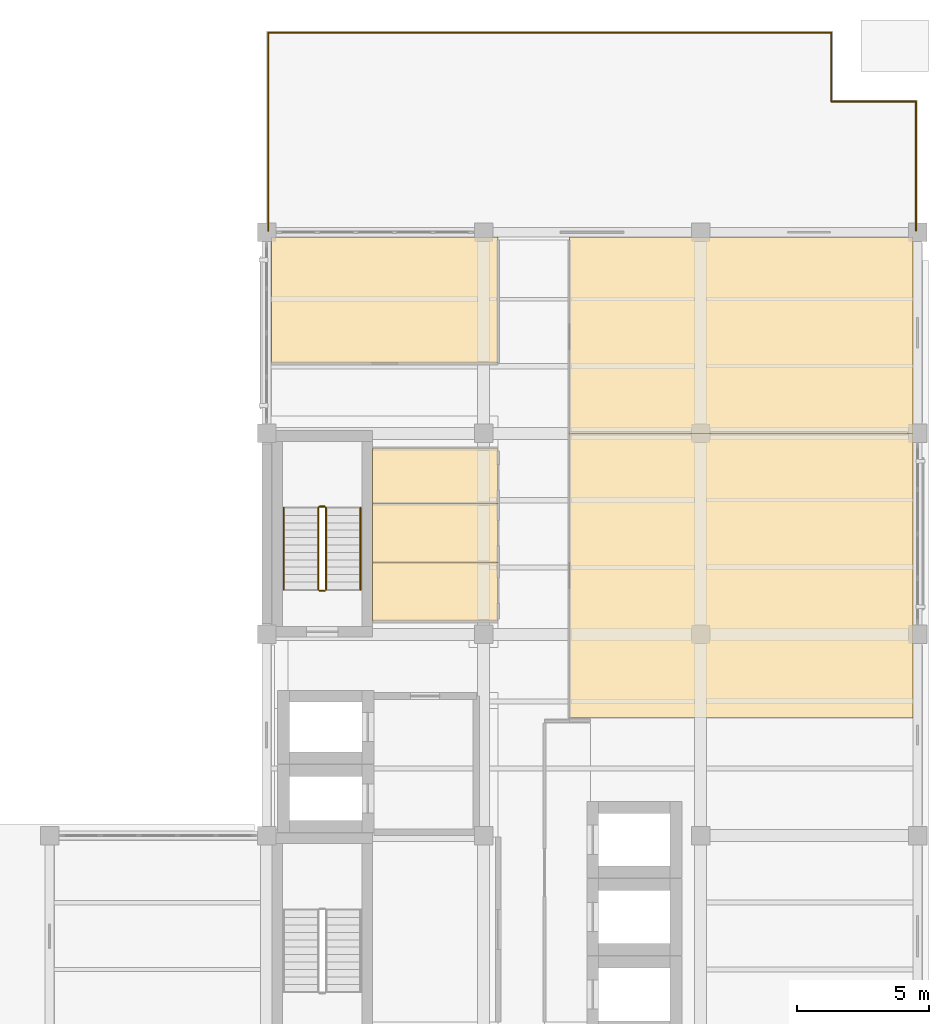
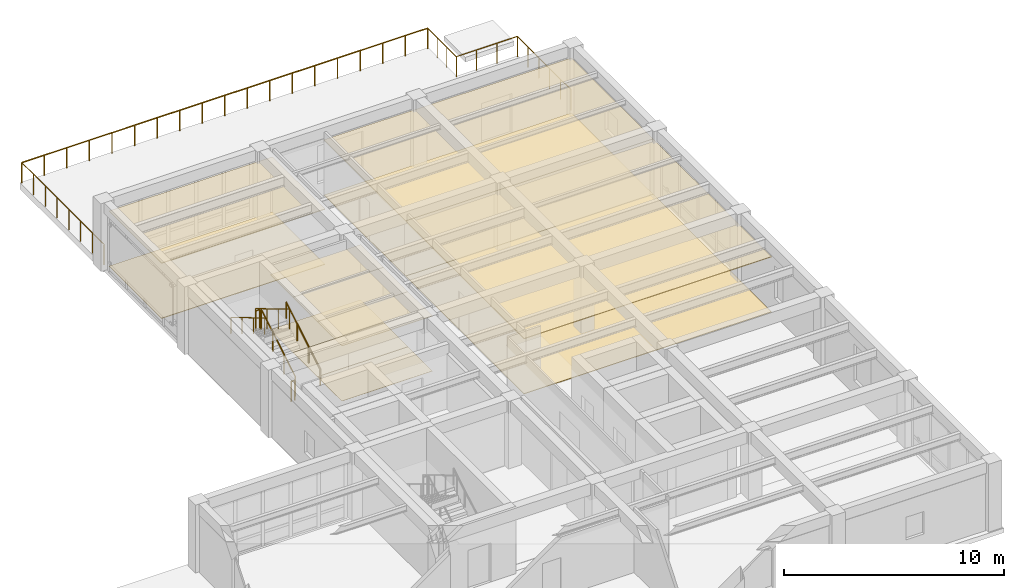
# One storey, part 11 of 11: 12 coverings, 11 railings.
"""IFC4 building model written with IfcOpenShell, lengths in metres."""

from ifc_helpers import new_model, si_unit, direction, frame, origin, origin_2d, place, context, subcontext, project, spatial, polyline, circle, outline, extrude, material, layer, layer_set, type_object, element, save


model = new_model("IFC4")

# Units and contexts
model_context = context("Model", 3, precision=1e-05, world=origin(), true_north=direction((0.0, 1.0)))
body_context = subcontext(model_context, "Body", "Model", "MODEL_VIEW")
ifc_project = project(units=[si_unit("LENGTHUNIT", "METRE"), si_unit("AREAUNIT", "SQUARE_METRE"), si_unit("VOLUMEUNIT", "CUBIC_METRE"), si_unit("PLANEANGLEUNIT", "RADIAN"), si_unit("MASSUNIT", "GRAM", prefix="KILO")], contexts=[model_context])

# Site, building, storey
site_placement = place(None, origin())
site = spatial("IfcSite", under=ifc_project, at=site_placement, CompositionType="ELEMENT")
building_placement = place(site_placement, origin())
building = spatial("IfcBuilding", under=site, at=building_placement, Name="Qandaris Square Conservatory and Botanical Centre", CompositionType="ELEMENT")
storey_placement = place(building_placement, frame((0.0, 0.0, 66.199951171875)))
storey = spatial("IfcBuildingStorey", under=building, at=storey_placement, Name="L15", CompositionType="ELEMENT", Elevation=66.199951171875)

# Coverings
ifc_material_1 = material(Name="Honed Qatari Limestone", Category="masonry")
ifc_layer_1 = layer(ifc_material_1, 0.030029296875)
ifc_layer_set_1 = layer_set([ifc_layer_1], Name="Honed Qatari Limestone")
covering_type_1 = type_object("IfcCoveringType", Name="Honed Qatari Limestone Concourse Paving", PredefinedType="FLOORING", material=ifc_layer_set_1)
covering_1_placement = place(storey_placement, origin())
element("IfcCovering", 1, at=covering_1_placement, inside=storey, type_object=covering_type_1, Name="Visiting Scholars Analytical Laboratory Flooring", PredefinedType="FLOORING", context=body_context, shape_type="SweptSolid", body=[
    extrude(outline(polyline([(163.6201171875, 36.25), (150.64990234375, 36.25), (150.64990234375, 47.0), (163.6201171875, 47.0), (163.6201171875, 36.25)])), origin(), (0.0, 0.0, 1.0), 0.030029296875),
])
covering_2_placement = place(storey_placement, origin())
element("IfcCovering", 2, at=covering_2_placement, inside=storey, type_object=covering_type_1, Name="Advisory Board Collaborative Seminar Room Flooring", PredefinedType="FLOORING", context=body_context, shape_type="SweptSolid", body=[
    extrude(outline(polyline([(139.3798828125, 54.419921875), (147.949951171875, 54.419921875), (147.949951171875, 54.300048828125), (147.949951171875, 49.64990234375), (139.3798828125, 49.64990234375), (139.3798828125, 54.419921875)])), origin(), (0.0, 0.0, 1.0), 0.030029296875),
])
covering_3_placement = place(storey_placement, origin())
element("IfcCovering", 3, at=covering_3_placement, inside=storey, type_object=covering_type_1, Name="Floor L15 Staff Write-Up Lounge Flooring", PredefinedType="FLOORING", context=body_context, shape_type="SweptSolid", body=[
    extrude(outline(polyline([(163.6201171875, 54.419921875), (163.6201171875, 47.0), (150.64990234375, 47.0), (150.64990234375, 54.300048828125), (150.64990234375, 54.419921875), (163.6201171875, 54.419921875)])), origin(), (0.0, 0.0, 1.0), 0.030029296875),
])
ifc_material_2 = material(Name="Gypsum Plasterboard", Category="gypsum")
ifc_layer_2 = layer(ifc_material_2, 0.02490234375)
ifc_layer_set_2 = layer_set([ifc_layer_2], Name="Gypsum Plasterboard")
covering_type_2 = type_object("IfcCoveringType", Name="Perforated Acoustic Lab Ceiling Tile", PredefinedType="CEILING", material=ifc_layer_set_2)
covering_4_placement = place(storey_placement, frame((0.0, 0.0, 3.050048828125)))
element("IfcCovering", 4, at=covering_4_placement, inside=storey, type_object=covering_type_2, Name="Accessible Toilet L15 Ceiling", PredefinedType="CEILING", context=body_context, shape_type="SweptSolid", body=[
    extrude(outline(polyline([(147.949951171875, 42.1201171875), (147.949951171875, 39.89990234375), (143.199951171875, 39.89990234375), (143.199951171875, 42.1201171875), (147.949951171875, 42.1201171875)])), origin(), (0.0, 0.0, 1.0), 0.02490234375),
])
covering_5_placement = place(storey_placement, frame((0.0, 0.0, 3.050048828125)))
element("IfcCovering", 5, at=covering_5_placement, inside=storey, type_object=covering_type_2, Name="Staff Male Toilet L15 Ceiling", PredefinedType="CEILING", context=body_context, shape_type="SweptSolid", body=[
    extrude(outline(polyline([(147.949951171875, 44.340087890625), (147.949951171875, 42.1201171875), (143.199951171875, 42.1201171875), (143.199951171875, 44.340087890625), (147.949951171875, 44.340087890625)])), origin(), (0.0, 0.0, 1.0), 0.02490234375),
])
covering_6_placement = place(storey_placement, frame((0.0, 0.0, 3.050048828125)))
element("IfcCovering", 6, at=covering_6_placement, inside=storey, type_object=covering_type_2, Name="Staff Female Toilet L15 Ceiling", PredefinedType="CEILING", context=body_context, shape_type="SweptSolid", body=[
    extrude(outline(polyline([(147.949951171875, 46.419921875), (147.949951171875, 44.340087890625), (143.199951171875, 44.340087890625), (143.199951171875, 46.419921875), (147.949951171875, 46.419921875)])), origin(), (0.0, 0.0, 1.0), 0.02490234375),
])
ifc_material_3 = material(Name="Epoxy Resin Screed", Category="finish")
ifc_layer_3 = layer(ifc_material_3, 0.014892578125)
ifc_layer_set_3 = layer_set([ifc_layer_3], Name="Epoxy Resin Screed")
covering_type_3 = type_object("IfcCoveringType", Name="Seamless Epoxy Laboratory Flooring", PredefinedType="FLOORING", material=ifc_layer_set_3)
covering_7_placement = place(storey_placement, origin())
element("IfcCovering", 7, at=covering_7_placement, inside=storey, type_object=covering_type_3, Name="Accessible Toilet L15 Flooring", PredefinedType="FLOORING", context=body_context, shape_type="SweptSolid", body=[
    extrude(outline(polyline([(147.949951171875, 42.1201171875), (147.949951171875, 39.89990234375), (143.199951171875, 39.89990234375), (143.199951171875, 42.1201171875), (147.949951171875, 42.1201171875)])), origin(), (0.0, 0.0, 1.0), 0.01513671875),
])
covering_8_placement = place(storey_placement, origin())
element("IfcCovering", 8, at=covering_8_placement, inside=storey, type_object=covering_type_3, Name="Staff Male Toilet L15 Flooring", PredefinedType="FLOORING", context=body_context, shape_type="SweptSolid", body=[
    extrude(outline(polyline([(147.949951171875, 44.340087890625), (147.949951171875, 42.1201171875), (143.199951171875, 42.1201171875), (143.199951171875, 44.340087890625), (147.949951171875, 44.340087890625)])), origin(), (0.0, 0.0, 1.0), 0.01513671875),
])
covering_9_placement = place(storey_placement, origin())
element("IfcCovering", 9, at=covering_9_placement, inside=storey, type_object=covering_type_3, Name="Staff Female Toilet L15 Flooring", PredefinedType="FLOORING", context=body_context, shape_type="SweptSolid", body=[
    extrude(outline(polyline([(147.949951171875, 46.419921875), (147.949951171875, 44.340087890625), (143.199951171875, 44.340087890625), (143.199951171875, 46.419921875), (147.949951171875, 46.419921875)])), origin(), (0.0, 0.0, 1.0), 0.01513671875),
])
ifc_material_4 = material(Name="Engineered Oak Timber", Category="wood")
ifc_layer_4 = layer(ifc_material_4, 0.0400390625)
ifc_layer_set_4 = layer_set([ifc_layer_4], Name="Engineered Oak Timber")
covering_type_4 = type_object("IfcCoveringType", Name="Slatted Oak Acoustic Gallery Ceiling", PredefinedType="CEILING", material=ifc_layer_set_4)
covering_10_placement = place(storey_placement, frame((0.0, 0.0, 3.050048828125)))
element("IfcCovering", 10, at=covering_10_placement, inside=storey, type_object=covering_type_4, Name="Visiting Scholars Analytical Laboratory Ceiling", PredefinedType="CEILING", context=body_context, shape_type="SweptSolid", body=[
    extrude(outline(polyline([(163.6201171875, 36.25), (150.64990234375, 36.25), (150.64990234375, 47.0), (163.6201171875, 47.0), (163.6201171875, 36.25)])), origin(), (0.0, 0.0, 1.0), 0.0400390625),
])
covering_11_placement = place(storey_placement, frame((0.0, 0.0, 3.050048828125)))
element("IfcCovering", 11, at=covering_11_placement, inside=storey, type_object=covering_type_4, Name="Advisory Board Collaborative Seminar Room Ceiling", PredefinedType="CEILING", context=body_context, shape_type="SweptSolid", body=[
    extrude(outline(polyline([(139.3798828125, 54.419921875), (147.949951171875, 54.419921875), (147.949951171875, 54.300048828125), (147.949951171875, 49.64990234375), (139.3798828125, 49.64990234375), (139.3798828125, 54.419921875)])), origin(), (0.0, 0.0, 1.0), 0.0400390625),
])
covering_12_placement = place(storey_placement, frame((0.0, 0.0, 3.050048828125)))
element("IfcCovering", 12, at=covering_12_placement, inside=storey, type_object=covering_type_4, Name="Floor L15 Staff Write-Up Lounge Ceiling", PredefinedType="CEILING", context=body_context, shape_type="SweptSolid", body=[
    extrude(outline(polyline([(163.6201171875, 54.419921875), (163.6201171875, 47.0), (150.64990234375, 47.0), (150.64990234375, 54.300048828125), (150.64990234375, 54.419921875), (163.6201171875, 54.419921875)])), origin(), (0.0, 0.0, 1.0), 0.0400390625),
])

# Railings
ifc_material_5 = material(Name="Stainless Steel", Category="steel")
railing_type_1 = type_object("IfcRailingType", Name="Stair Tubular Handrail 920mm", PredefinedType="HANDRAIL", material=ifc_material_5)
railing_1_placement = place(storey_placement, frame((142.75, 41.10009765625, 0.33349609375)))
element("IfcRailing", 13, at=railing_1_placement, inside=storey, type_object=railing_type_1, Name="L15 ST-2 stair handrail 1", PredefinedType="HANDRAIL", context=body_context, shape_type="SweptSolid", body=[
    extrude(circle(Radius=0.02392578125, at=origin_2d()), frame((0.0, 0.0, 0.89599609375), z_axis=(0.0, 0.859290745958, 0.51148745235), x_axis=(-1.0, 0.0, 0.0)), (0.0, 0.0, 1.0), 3.584228515625),
    extrude(circle(Radius=0.02099609375, at=origin_2d()), origin(), (0.0, 0.0, 1.0), 0.871826171875),
    extrude(circle(Radius=0.02099609375, at=origin_2d()), frame((0.0, 1.026611328125, 0.611083984375)), (0.0, 0.0, 1.0), 0.871826171875),
    extrude(circle(Radius=0.02099609375, at=origin_2d()), frame((0.0, 2.05322265625, 1.22216796875)), (0.0, 0.0, 1.0), 0.871826171875),
    extrude(circle(Radius=0.02099609375, at=origin_2d()), frame((0.0, 3.079833984375, 1.833251953125)), (0.0, 0.0, 1.0), 0.871826171875),
])
railing_2_placement = place(storey_placement, frame((139.85009765625, 44.179931640625, 2.33349609375)))
element("IfcRailing", 14, at=railing_2_placement, inside=storey, type_object=railing_type_1, Name="L15 ST-2 stair handrail 2", PredefinedType="HANDRAIL", context=body_context, shape_type="SweptSolid", body=[
    extrude(circle(Radius=0.02392578125, at=origin_2d()), frame((0.0, 0.0, 0.89599609375), z_axis=(0.0, -0.859290745958, 0.51148745235), x_axis=(1.0, 0.0, 0.0)), (0.0, 0.0, 1.0), 3.584228515625),
    extrude(circle(Radius=0.02099609375, at=origin_2d()), origin(), (0.0, 0.0, 1.0), 0.871826171875),
    extrude(circle(Radius=0.02099609375, at=origin_2d()), frame((0.0, -1.026611328125, 0.611083984375)), (0.0, 0.0, 1.0), 0.871826171875),
    extrude(circle(Radius=0.02099609375, at=origin_2d()), frame((0.0, -2.05322265625, 1.22216796875)), (0.0, 0.0, 1.0), 0.871826171875),
    extrude(circle(Radius=0.02099609375, at=origin_2d()), frame((0.0, -3.079833984375, 1.833251953125)), (0.0, 0.0, 1.0), 0.871826171875),
])
railing_type_2 = type_object("IfcRailingType", Name="Stairwell & Atrium Guardrail 1120mm", PredefinedType="GUARDRAIL", material=ifc_material_5)
railing_3_placement = place(storey_placement, frame((141.449951171875, 41.10009765625, 0.166748046875)))
element("IfcRailing", 15, at=railing_3_placement, inside=storey, type_object=railing_type_2, Name="L15 ST-2 stair guard 1", PredefinedType="GUARDRAIL", context=body_context, shape_type="SweptSolid", body=[
    extrude(circle(Radius=0.02392578125, at=origin_2d()), frame((0.0, 0.0, 1.09619140625), z_axis=(0.0, 0.859290745958, 0.51148745235), x_axis=(-1.0, 0.0, 0.0)), (0.0, 0.0, 1.0), 3.584228515625),
    extrude(circle(Radius=0.02099609375, at=origin_2d()), origin(), (0.0, 0.0, 1.0), 1.072021484375),
    extrude(circle(Radius=0.02099609375, at=origin_2d()), frame((0.0, 1.026611328125, 0.611083984375)), (0.0, 0.0, 1.0), 1.072021484375),
    extrude(circle(Radius=0.02099609375, at=origin_2d()), frame((0.0, 2.05322265625, 1.22216796875)), (0.0, 0.0, 1.0), 1.072021484375),
    extrude(circle(Radius=0.02099609375, at=origin_2d()), frame((0.0, 3.079833984375, 1.833251953125)), (0.0, 0.0, 1.0), 1.072021484375),
])
railing_4_placement = place(storey_placement, frame((141.39990234375, 44.22998046875, 2.0)))
element("IfcRailing", 16, at=railing_4_placement, inside=storey, type_object=railing_type_2, Name="L15 ST-2 stair guard 2", PredefinedType="GUARDRAIL", context=body_context, shape_type="SweptSolid", body=[
    extrude(circle(Radius=0.02392578125, at=origin_2d()), frame((0.0, 0.0, 1.09619140625), z_axis=(-1.0, 0.0, 0.0), x_axis=(0.0, -1.0, 0.0)), (0.0, 0.0, 1.0), 0.199951171875),
    extrude(circle(Radius=0.02099609375, at=origin_2d()), origin(), (0.0, 0.0, 1.0), 1.072021484375),
    extrude(circle(Radius=0.02099609375, at=origin_2d()), frame((-0.199951171875, 0.0, 0.0)), (0.0, 0.0, 1.0), 1.072021484375),
])
railing_5_placement = place(storey_placement, frame((141.14990234375, 44.179931640625, 2.166748046875)))
element("IfcRailing", 17, at=railing_5_placement, inside=storey, type_object=railing_type_2, Name="L15 ST-2 stair guard 3", PredefinedType="GUARDRAIL", context=body_context, shape_type="SweptSolid", body=[
    extrude(circle(Radius=0.02392578125, at=origin_2d()), frame((0.0, 0.0, 1.09619140625), z_axis=(0.0, -0.859290745958, 0.51148745235), x_axis=(1.0, 0.0, 0.0)), (0.0, 0.0, 1.0), 3.584228515625),
    extrude(circle(Radius=0.02099609375, at=origin_2d()), origin(), (0.0, 0.0, 1.0), 1.072021484375),
    extrude(circle(Radius=0.02099609375, at=origin_2d()), frame((0.0, -1.026611328125, 0.611083984375)), (0.0, 0.0, 1.0), 1.072021484375),
    extrude(circle(Radius=0.02099609375, at=origin_2d()), frame((0.0, -2.05322265625, 1.22216796875)), (0.0, 0.0, 1.0), 1.072021484375),
    extrude(circle(Radius=0.02099609375, at=origin_2d()), frame((0.0, -3.079833984375, 1.833251953125)), (0.0, 0.0, 1.0), 1.072021484375),
])
railing_6_placement = place(storey_placement, frame((141.39990234375, 41.050048828125, 0.0)))
element("IfcRailing", 18, at=railing_6_placement, inside=storey, type_object=railing_type_2, Name="L15 ST-2 stair guard 4", PredefinedType="GUARDRAIL", context=body_context, shape_type="SweptSolid", body=[
    extrude(circle(Radius=0.02392578125, at=origin_2d()), frame((0.0, 0.0, 1.09619140625), z_axis=(-1.0, 0.0, 0.0), x_axis=(0.0, -1.0, 0.0)), (0.0, 0.0, 1.0), 0.199951171875),
    extrude(circle(Radius=0.02099609375, at=origin_2d()), origin(), (0.0, 0.0, 1.0), 1.072021484375),
    extrude(circle(Radius=0.02099609375, at=origin_2d()), frame((-0.199951171875, 0.0, 0.0)), (0.0, 0.0, 1.0), 1.072021484375),
])
ifc_material_6 = material(Name="Weathering Bronze Alloy", Category="metal")
railing_type_3 = type_object("IfcRailingType", Name="Terrace Perimeter Prairie Guardrail 1150mm", PredefinedType="GUARDRAIL", material=ifc_material_6)
railing_7_placement = place(storey_placement, frame((139.260009765625, 54.659912109375, 0.0)))
element("IfcRailing", 19, at=railing_7_placement, inside=storey, type_object=railing_type_3, Name="Botanical Observatory Terrace L15 Guardrail 2", PredefinedType="GUARDRAIL", context=body_context, shape_type="SweptSolid", body=[
    extrude(circle(Radius=0.02392578125, at=origin_2d()), frame((0.0, 0.0, 1.1259765625), z_axis=(0.0, 1.0, 0.0), x_axis=(-1.0, 0.0, 0.0)), (0.0, 0.0, 1.0), 7.47998046875),
    extrude(circle(Radius=0.02099609375, at=origin_2d()), origin(), (0.0, 0.0, 1.0), 1.101806640625),
    extrude(circle(Radius=0.02099609375, at=origin_2d()), frame((0.0, 1.068603515625, 0.0)), (0.0, 0.0, 1.0), 1.101806640625),
    extrude(circle(Radius=0.02099609375, at=origin_2d()), frame((0.0, 2.13720703125, 0.0)), (0.0, 0.0, 1.0), 1.101806640625),
    extrude(circle(Radius=0.02099609375, at=origin_2d()), frame((0.0, 3.205810546875, 0.0)), (0.0, 0.0, 1.0), 1.101806640625),
    extrude(circle(Radius=0.02099609375, at=origin_2d()), frame((0.0, 4.274169921875, 0.0)), (0.0, 0.0, 1.0), 1.101806640625),
    extrude(circle(Radius=0.02099609375, at=origin_2d()), frame((0.0, 5.3427734375, 0.0)), (0.0, 0.0, 1.0), 1.101806640625),
    extrude(circle(Radius=0.02099609375, at=origin_2d()), frame((0.0, 6.411376953125, 0.0)), (0.0, 0.0, 1.0), 1.101806640625),
    extrude(circle(Radius=0.02099609375, at=origin_2d()), frame((0.0, 7.47998046875, 0.0)), (0.0, 0.0, 1.0), 1.101806640625),
])
railing_8_placement = place(storey_placement, frame((139.260009765625, 62.139892578125, 0.0)))
element("IfcRailing", 20, at=railing_8_placement, inside=storey, type_object=railing_type_3, Name="Botanical Observatory Terrace L15 Guardrail 3", PredefinedType="GUARDRAIL", context=body_context, shape_type="SweptSolid", body=[
    extrude(circle(Radius=0.02392578125, at=origin_2d()), frame((0.0, 0.0, 1.1259765625), z_axis=(1.0, 0.0, 0.0), x_axis=(0.0, 1.0, 0.0)), (0.0, 0.0, 1.0), 21.280029296875),
    extrude(circle(Radius=0.02099609375, at=origin_2d()), origin(), (0.0, 0.0, 1.0), 1.101806640625),
    extrude(circle(Radius=0.02099609375, at=origin_2d()), frame((1.18212890625, 0.0, 0.0)), (0.0, 0.0, 1.0), 1.101806640625),
    extrude(circle(Radius=0.02099609375, at=origin_2d()), frame((2.364501953125, 0.0, 0.0)), (0.0, 0.0, 1.0), 1.101806640625),
    extrude(circle(Radius=0.02099609375, at=origin_2d()), frame((3.546630859375, 0.0, 0.0)), (0.0, 0.0, 1.0), 1.101806640625),
    extrude(circle(Radius=0.02099609375, at=origin_2d()), frame((4.72900390625, 0.0, 0.0)), (0.0, 0.0, 1.0), 1.101806640625),
    extrude(circle(Radius=0.02099609375, at=origin_2d()), frame((5.9111328125, 0.0, 0.0)), (0.0, 0.0, 1.0), 1.101806640625),
    extrude(circle(Radius=0.02099609375, at=origin_2d()), frame((7.09326171875, 0.0, 0.0)), (0.0, 0.0, 1.0), 1.101806640625),
    extrude(circle(Radius=0.02099609375, at=origin_2d()), frame((8.275634765625, 0.0, 0.0)), (0.0, 0.0, 1.0), 1.101806640625),
    extrude(circle(Radius=0.02099609375, at=origin_2d()), frame((9.457763671875, 0.0, 0.0)), (0.0, 0.0, 1.0), 1.101806640625),
    extrude(circle(Radius=0.02099609375, at=origin_2d()), frame((10.64013671875, 0.0, 0.0)), (0.0, 0.0, 1.0), 1.101806640625),
    extrude(circle(Radius=0.02099609375, at=origin_2d()), frame((11.822265625, 0.0, 0.0)), (0.0, 0.0, 1.0), 1.101806640625),
    extrude(circle(Radius=0.02099609375, at=origin_2d()), frame((13.00439453125, 0.0, 0.0)), (0.0, 0.0, 1.0), 1.101806640625),
    extrude(circle(Radius=0.02099609375, at=origin_2d()), frame((14.186767578125, 0.0, 0.0)), (0.0, 0.0, 1.0), 1.101806640625),
    extrude(circle(Radius=0.02099609375, at=origin_2d()), frame((15.368896484375, 0.0, 0.0)), (0.0, 0.0, 1.0), 1.101806640625),
    extrude(circle(Radius=0.02099609375, at=origin_2d()), frame((16.551025390625, 0.0, 0.0)), (0.0, 0.0, 1.0), 1.101806640625),
    extrude(circle(Radius=0.02099609375, at=origin_2d()), frame((17.7333984375, 0.0, 0.0)), (0.0, 0.0, 1.0), 1.101806640625),
    extrude(circle(Radius=0.02099609375, at=origin_2d()), frame((18.91552734375, 0.0, 0.0)), (0.0, 0.0, 1.0), 1.101806640625),
    extrude(circle(Radius=0.02099609375, at=origin_2d()), frame((20.097900390625, 0.0, 0.0)), (0.0, 0.0, 1.0), 1.101806640625),
    extrude(circle(Radius=0.02099609375, at=origin_2d()), frame((21.280029296875, 0.0, 0.0)), (0.0, 0.0, 1.0), 1.101806640625),
])
railing_9_placement = place(storey_placement, frame((160.5400390625, 62.139892578125, 0.0)))
element("IfcRailing", 21, at=railing_9_placement, inside=storey, type_object=railing_type_3, Name="Botanical Observatory Terrace L15 Guardrail 4", PredefinedType="GUARDRAIL", context=body_context, shape_type="SweptSolid", body=[
    extrude(circle(Radius=0.02392578125, at=origin_2d()), frame((0.0, 0.0, 1.1259765625), z_axis=(0.0, -1.0, 0.0), x_axis=(1.0, 0.0, 0.0)), (0.0, 0.0, 1.0), 2.599853515625),
    extrude(circle(Radius=0.02099609375, at=origin_2d()), origin(), (0.0, 0.0, 1.0), 1.101806640625),
    extrude(circle(Radius=0.02099609375, at=origin_2d()), frame((0.0, -0.86669921875, 0.0)), (0.0, 0.0, 1.0), 1.101806640625),
    extrude(circle(Radius=0.02099609375, at=origin_2d()), frame((0.0, -1.733154296875, 0.0)), (0.0, 0.0, 1.0), 1.101806640625),
    extrude(circle(Radius=0.02099609375, at=origin_2d()), frame((0.0, -2.599853515625, 0.0)), (0.0, 0.0, 1.0), 1.101806640625),
])
railing_10_placement = place(storey_placement, frame((160.5400390625, 59.5400390625, 0.0)))
element("IfcRailing", 22, at=railing_10_placement, inside=storey, type_object=railing_type_3, Name="Botanical Observatory Terrace L15 Guardrail 5", PredefinedType="GUARDRAIL", context=body_context, shape_type="SweptSolid", body=[
    extrude(circle(Radius=0.02392578125, at=origin_2d()), frame((0.0, 0.0, 1.1259765625), z_axis=(1.0, 0.0, 0.0), x_axis=(0.0, 1.0, 0.0)), (0.0, 0.0, 1.0), 3.199951171875),
    extrude(circle(Radius=0.02099609375, at=origin_2d()), origin(), (0.0, 0.0, 1.0), 1.101806640625),
    extrude(circle(Radius=0.02099609375, at=origin_2d()), frame((1.066650390625, 0.0, 0.0)), (0.0, 0.0, 1.0), 1.101806640625),
    extrude(circle(Radius=0.02099609375, at=origin_2d()), frame((2.13330078125, 0.0, 0.0)), (0.0, 0.0, 1.0), 1.101806640625),
    extrude(circle(Radius=0.02099609375, at=origin_2d()), frame((3.199951171875, 0.0, 0.0)), (0.0, 0.0, 1.0), 1.101806640625),
])
railing_11_placement = place(storey_placement, frame((163.739990234375, 59.5400390625, 0.0)))
element("IfcRailing", 23, at=railing_11_placement, inside=storey, type_object=railing_type_3, Name="Botanical Observatory Terrace L15 Guardrail 6", PredefinedType="GUARDRAIL", context=body_context, shape_type="SweptSolid", body=[
    extrude(circle(Radius=0.02392578125, at=origin_2d()), frame((0.0, 0.0, 1.1259765625), z_axis=(0.0, -1.0, 0.0), x_axis=(1.0, 0.0, 0.0)), (0.0, 0.0, 1.0), 4.880126953125),
    extrude(circle(Radius=0.02099609375, at=origin_2d()), origin(), (0.0, 0.0, 1.0), 1.101806640625),
    extrude(circle(Radius=0.02099609375, at=origin_2d()), frame((0.0, -0.97607421875, 0.0)), (0.0, 0.0, 1.0), 1.101806640625),
    extrude(circle(Radius=0.02099609375, at=origin_2d()), frame((0.0, -1.9521484375, 0.0)), (0.0, 0.0, 1.0), 1.101806640625),
    extrude(circle(Radius=0.02099609375, at=origin_2d()), frame((0.0, -2.927978515625, 0.0)), (0.0, 0.0, 1.0), 1.101806640625),
    extrude(circle(Radius=0.02099609375, at=origin_2d()), frame((0.0, -3.904052734375, 0.0)), (0.0, 0.0, 1.0), 1.101806640625),
    extrude(circle(Radius=0.02099609375, at=origin_2d()), frame((0.0, -4.880126953125, 0.0)), (0.0, 0.0, 1.0), 1.101806640625),
])

save(model, "model.ifc")
